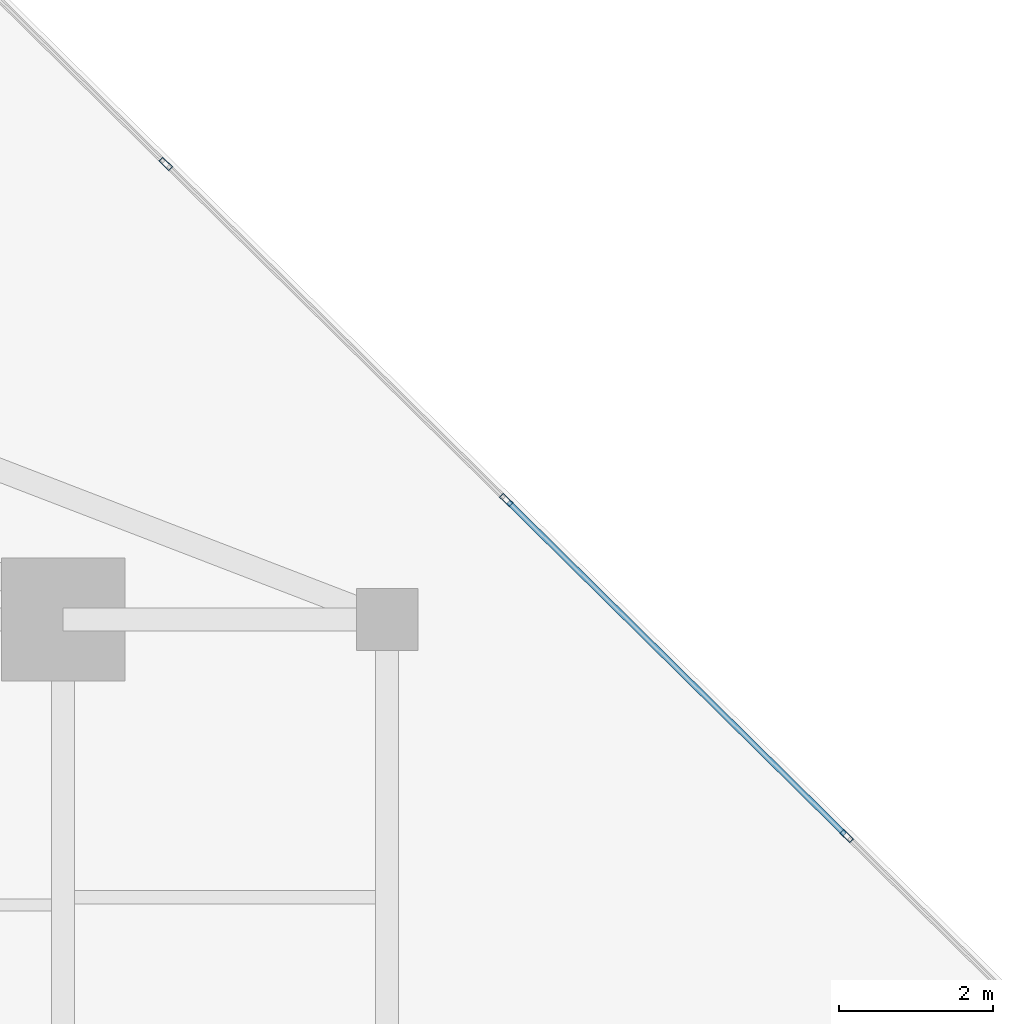
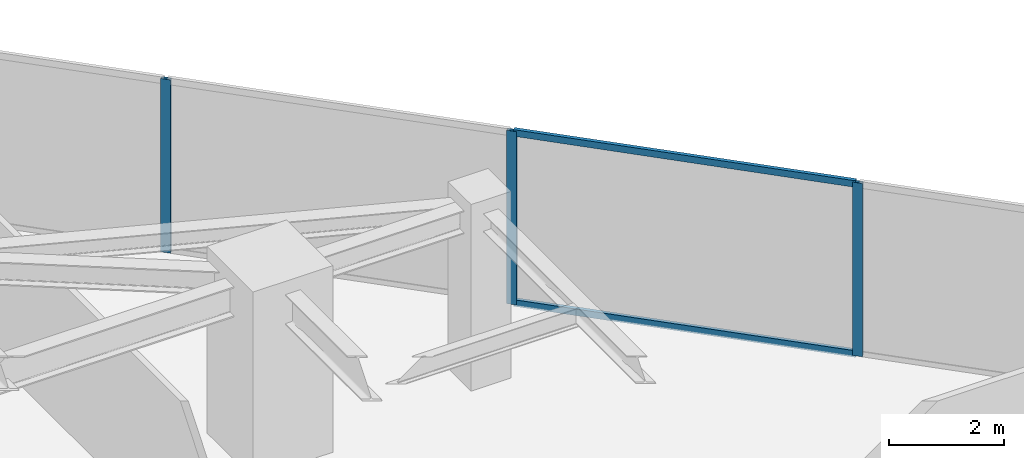
# One storey, part 18 of 24: 5 members, 1 element without a shape of its own.
"""IFC4 building model written with IfcOpenShell, lengths in metres."""

from ifc_helpers import new_model, si_unit, direction, frame, origin, origin_2d, place, context, subcontext, project, spatial, hollow_rectangle, extrude, source, transform, mapped, material, material_profile, profile_set, type_object, type_shapes, element, aggregate, save


model = new_model("IFC4")

# Units and contexts
model_context = context("Model", 3, precision=1e-05, world=origin(), true_north=direction((0.0, 1.0)))
body_context = subcontext(model_context, "Body", "Model", "MODEL_VIEW")
ifc_project = project(units=[si_unit("LENGTHUNIT", "METRE"), si_unit("AREAUNIT", "SQUARE_METRE"), si_unit("VOLUMEUNIT", "CUBIC_METRE"), si_unit("PLANEANGLEUNIT", "RADIAN"), si_unit("MASSUNIT", "GRAM", prefix="KILO")], contexts=[model_context])

# Site, building, storey
site_placement = place(None, origin())
site = spatial("IfcSite", under=ifc_project, at=site_placement, CompositionType="ELEMENT")
building_placement = place(site_placement, origin())
building = spatial("IfcBuilding", under=site, at=building_placement, Name="Krantzveldt Concourse Tower", CompositionType="ELEMENT")
storey_placement = place(building_placement, frame((0.0, 0.0, 231.0)))
storey = spatial("IfcBuildingStorey", under=building, at=storey_placement, Name="L56", CompositionType="ELEMENT", Elevation=231.0)

# Curtain wall, members
ifc_material = material(Name="Anodised aluminium 6063-T6", Category="aluminium")
curtain_wall_type = type_object("IfcCurtainWallType", Name="CW3", PredefinedType="USERDEFINED", material=ifc_material)
curtain_wall_placement = place(storey_placement, origin())
curtain_wall = element("IfcCurtainWall", 1, at=curtain_wall_placement, inside=storey, type_object=curtain_wall_type, Name="CW-L56-F10", ObjectType="UNITISED CURTAIN WALL", PredefinedType="USERDEFINED")
ifc_material_profile_1 = material_profile(ifc_material, hollow_rectangle(XDim=0.070068359375, YDim=0.179931640625, WallThickness=0.0048828125, at=origin_2d()), Name="Anodised aluminium 6063-T6", Category="aluminium")
ifc_profile_set_1 = profile_set([ifc_material_profile_1], Name="Anodised aluminium 6063-T6 - ALU-MULL 180x70x5")
member_type_1 = type_object("IfcMemberType", Name="CW-MUL-180", PredefinedType="MULLION", material=ifc_profile_set_1)
shared_shape_1 = source(origin(), body_context, "Body", "SweptSolid", [
    extrude(hollow_rectangle(XDim=0.070068359375, YDim=0.179931640625, WallThickness=0.0048828125, at=origin_2d()), origin(), (0.0, 0.0, 1.0), 3.669921875),
])
type_shapes(member_type_1, [shared_shape_1])
member_1_placement = place(storey_placement, frame((56.956298828125, 34.693359375, 0.0), z_axis=(0.0, 0.0, 1.0), x_axis=(-0.702463570854, -0.711719700179, 0.0)))
member_1 = element("IfcMember", 2, at=member_1_placement, type_object=member_type_1, Name="CW-Z34 mullion 2", PredefinedType="MULLION", context=body_context, shape_type="MappedRepresentation", body=[
    mapped(shared_shape_1, transform((0.0, 0.0, 0.0), x_axis=(1.0, 0.0, 0.0), y_axis=(0.0, 1.0, 0.0), z_axis=(0.0, 0.0, 1.0), scale=1.0)),
])
member_2_placement = place(storey_placement, frame((52.543701171875, 39.048583984375, 0.0), z_axis=(0.0, 0.0, 1.0), x_axis=(-0.702463570854, -0.711719700179, 0.0)))
member_2 = element("IfcMember", 3, at=member_2_placement, type_object=member_type_1, Name="CW-Z34 mullion 3", PredefinedType="MULLION", context=body_context, shape_type="MappedRepresentation", body=[
    mapped(shared_shape_1, transform((0.0, 0.0, 0.0), x_axis=(1.0, 0.0, 0.0), y_axis=(0.0, 1.0, 0.0), z_axis=(0.0, 0.0, 1.0), scale=1.0)),
])
member_3_placement = place(storey_placement, frame((48.130859375, 43.40380859375, 0.0), z_axis=(0.0, 0.0, 1.0), x_axis=(-0.702463570854, -0.711719700179, 0.0)))
member_3 = element("IfcMember", 4, at=member_3_placement, type_object=member_type_1, Name="CW-Z34 mullion 4", PredefinedType="MULLION", context=body_context, shape_type="MappedRepresentation", body=[
    mapped(shared_shape_1, transform((0.0, 0.0, 0.0), x_axis=(1.0, 0.0, 0.0), y_axis=(0.0, 1.0, 0.0), z_axis=(0.0, 0.0, 1.0), scale=1.0)),
])
ifc_material_profile_2 = material_profile(ifc_material, hollow_rectangle(XDim=0.070068359375, YDim=0.139892578125, WallThickness=0.0048828125, at=origin_2d()), Name="Anodised aluminium 6063-T6", Category="aluminium")
ifc_profile_set_2 = profile_set([ifc_material_profile_2], Name="Anodised aluminium 6063-T6 - ALU-TRAN 140x70x5")
member_type_2 = type_object("IfcMemberType", Name="CW-TRN-150", PredefinedType="USERDEFINED", material=ifc_profile_set_2)
shared_shape_2 = source(origin(), body_context, "Body", "SweptSolid", [
    extrude(hollow_rectangle(XDim=0.070068359375, YDim=0.139892578125, WallThickness=0.0048828125, at=origin_2d()), origin(), (0.0, 0.0, 1.0), 6.1298828125),
])
type_shapes(member_type_2, [shared_shape_2])
member_4_placement = place(storey_placement, frame((56.931396484375, 34.7177734375, 0.034912109375), z_axis=(-0.71171164102, 0.702471736112, 0.0), x_axis=(-0.702471736112, -0.71171164102, 0.0)))
member_4 = element("IfcMember", 5, at=member_4_placement, type_object=member_type_2, Name="CW-Z34 transom 2.1", ObjectType="TRANSOM", PredefinedType="USERDEFINED", context=body_context, shape_type="MappedRepresentation", body=[
    mapped(shared_shape_2, transform((0.0, 0.0, 0.0), x_axis=(1.0, 0.0, 0.0), y_axis=(0.0, 1.0, 0.0), z_axis=(0.0, 0.0, 1.0), scale=1.0)),
])
member_5_placement = place(storey_placement, frame((56.931396484375, 34.7177734375, 3.635009765625), z_axis=(-0.71171164102, 0.702471736112, 0.0), x_axis=(-0.702471736112, -0.71171164102, 0.0)))
member_5 = element("IfcMember", 6, at=member_5_placement, type_object=member_type_2, Name="CW-Z34 transom 2.2", ObjectType="TRANSOM", PredefinedType="USERDEFINED", context=body_context, shape_type="MappedRepresentation", body=[
    mapped(shared_shape_2, transform((0.0, 0.0, 0.0), x_axis=(1.0, 0.0, 0.0), y_axis=(0.0, 1.0, 0.0), z_axis=(0.0, 0.0, 1.0), scale=1.0)),
])
aggregate(curtain_wall, [member_1, member_2, member_3, member_4, member_5])

save(model, "model.ifc")
